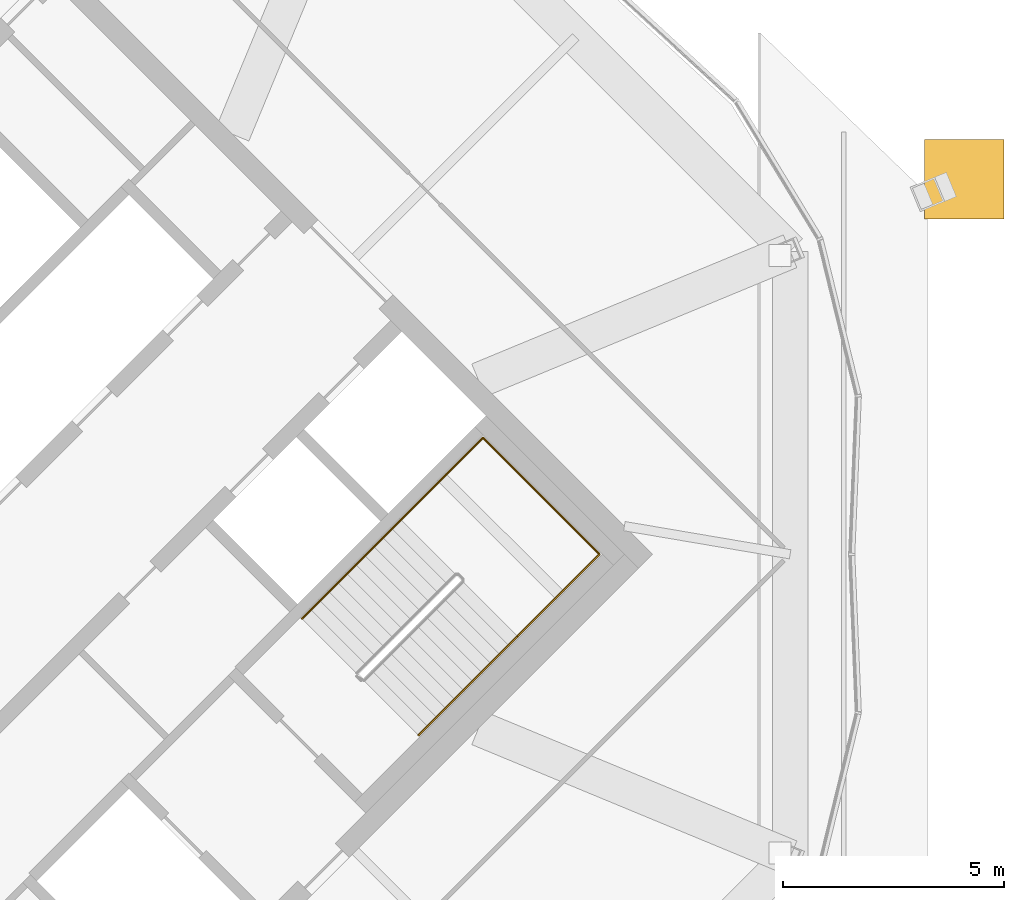
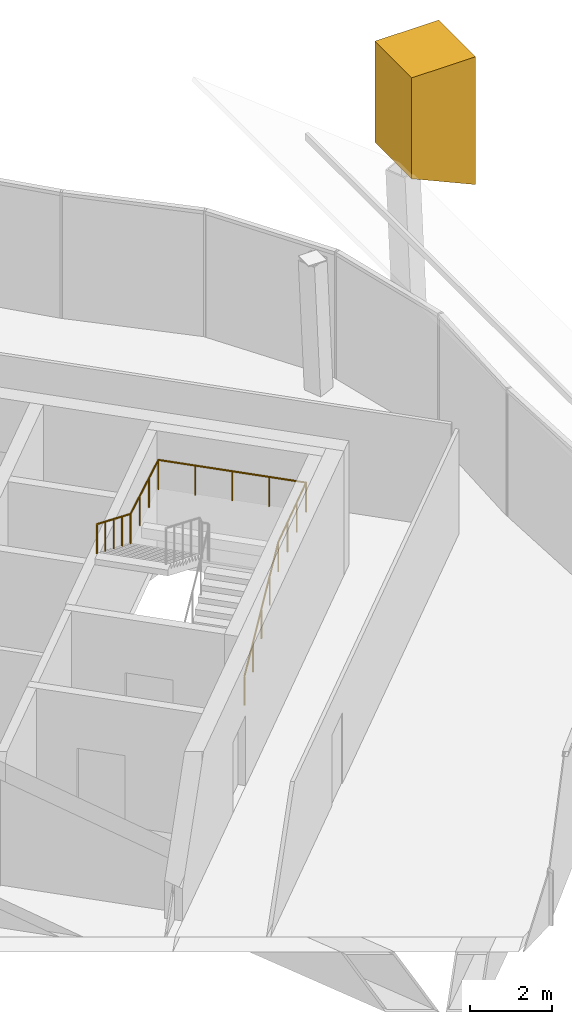
# One storey, part 22 of 22: 1 covering, 1 railing.
"""IFC4 building model written with IfcOpenShell, lengths in metres."""

import ifcopenshell
import ifcopenshell.guid

model = None  # the IFC model being written
_history = None  # IfcOwnerHistory: only IFC2X3 demands one
_inside = {}  # id of a spatial element -> (the spatial element, [elements in it])
_under = {}  # id of a project, library or spatial element -> (it, [spatial elements below it])
_declared = {}  # id of a project -> (the project, [libraries it declares])
_typed = {}  # id of a type object -> (the type object, [elements of that type])
_made_of = {}  # id of a material, layer set ... -> (it, [elements and type objects made of it])


def new_model(schema):
    """Start an empty IFC model of exactly this schema.

    Asked for "IFC4X3", IfcOpenShell would pick the latest addendum, in which some entities
    have other attributes; the version numbers below select the first issue.
    IFC2X3 requires an IfcOwnerHistory on every rooted entity: one is made here for all.
    """
    global model, _history
    if schema == "IFC4X3":
        model = ifcopenshell.file(schema_version=(4, 3, 0, 0))
    else:
        model = ifcopenshell.file(schema=schema)
    _inside.clear()
    _under.clear()
    _declared.clear()
    _typed.clear()
    _made_of.clear()
    _history = None
    if model.schema == "IFC2X3":
        org = make("IfcOrganization", Name="unknown")
        user = make(
            "IfcPersonAndOrganization",
            ThePerson=make("IfcPerson", FamilyName="unknown"),
            TheOrganization=org,
        )
        app = make(
            "IfcApplication",
            ApplicationDeveloper=org,
            Version="unknown",
            ApplicationFullName="unknown",
            ApplicationIdentifier="unknown",
        )
        _history = make(
            "IfcOwnerHistory",
            OwningUser=user,
            OwningApplication=app,
            ChangeAction="ADDED",
            CreationDate=0,
        )
    return model


def make(cls, **values):
    """One entity of the class cls with the attributes given. An attribute that is None is left unset."""
    return model.create_entity(
        cls, **{name: value for name, value in values.items() if value is not None}
    )


def rooted(cls, **values):
    """An entity with a GlobalId (a new one), such as an element, a storey or a relation."""
    return make(cls, GlobalId=ifcopenshell.guid.new(), OwnerHistory=_history, **values)


def si_unit(unit_type, name, prefix=None):
    """IfcSIUnit, for example si_unit("LENGTHUNIT", "METRE", prefix="MILLI")."""
    return make("IfcSIUnit", UnitType=unit_type, Prefix=prefix, Name=name)


def assignment(units):
    """IfcUnitAssignment: the units of a project."""
    return None if units is None else make("IfcUnitAssignment", Units=units)


def point(xyz):
    """IfcCartesianPoint."""
    return None if xyz is None else make("IfcCartesianPoint", Coordinates=xyz)


def direction(xyz):
    """IfcDirection."""
    return None if xyz is None else make("IfcDirection", DirectionRatios=xyz)


def frame(location, z_axis=None, x_axis=None):
    """IfcAxis2Placement3D, a coordinate frame: its origin and axes. An axis left out is left unset."""
    return make(
        "IfcAxis2Placement3D",
        Location=point(location),
        Axis=direction(z_axis),
        RefDirection=direction(x_axis),
    )


def frame_2d(location, x_axis=None):
    """IfcAxis2Placement2D, a coordinate frame in the plane: its origin and x axis."""
    return make(
        "IfcAxis2Placement2D", Location=point(location), RefDirection=direction(x_axis)
    )


def origin():
    """The frame at (0, 0, 0) with its axes left unset."""
    return frame((0.0, 0.0, 0.0))


def origin_2d():
    """The frame at (0, 0) in the plane with its x axis left unset."""
    return frame_2d((0.0, 0.0))


def place(relative_to, where):
    """IfcLocalPlacement: puts the frame where relative to a parent placement (None: the world)."""
    return make(
        "IfcLocalPlacement", PlacementRelTo=relative_to, RelativePlacement=where
    )


def context(
    kind, dimensions, precision=None, world=None, true_north=None, identifier=None
):
    """IfcGeometricRepresentationContext, for example the 3D "Model" context."""
    return make(
        "IfcGeometricRepresentationContext",
        ContextIdentifier=identifier,
        ContextType=kind,
        CoordinateSpaceDimension=dimensions,
        Precision=precision,
        WorldCoordinateSystem=world,
        TrueNorth=true_north,
    )


def subcontext(parent, identifier, kind, view, scale=None):
    """IfcGeometricRepresentationSubContext, for example "Body" below "Model"."""
    return make(
        "IfcGeometricRepresentationSubContext",
        ContextIdentifier=identifier,
        ContextType=kind,
        ParentContext=parent,
        TargetScale=scale,
        TargetView=view,
    )


def project(units=None, contexts=None):
    """IfcProject with its units and contexts."""
    return rooted(
        "IfcProject",
        Name="project",
        RepresentationContexts=contexts,
        UnitsInContext=assignment(units),
    )


def spatial(cls, under=None, at=None, **own):
    """A site, building, storey or space (cls), placed at a placement, below another one or the project."""
    s = rooted(cls, ObjectPlacement=at, **own)
    if under is not None:
        _under.setdefault(under.id(), (under, []))[1].append(s)
    return s


def polyline(points):
    """IfcPolyline through the points."""
    return make("IfcPolyline", Points=[point(p) for p in points])


def profile(cls, at=None, kind="AREA", **sizes):
    """A parametric profile (cls). Its sizes go by their IFC names, for example OverallWidth=200.0."""
    return make(cls, ProfileType=kind, Position=at, **sizes)


def circle(**sizes):
    """IfcCircleProfileDef."""
    return profile("IfcCircleProfileDef", **sizes)


def outline(outer, holes=None, kind="AREA"):
    """IfcArbitraryClosedProfileDef: a profile drawn as a closed curve; with holes, ...WithVoids."""
    if holes is None:
        return make("IfcArbitraryClosedProfileDef", ProfileType=kind, OuterCurve=outer)
    return make(
        "IfcArbitraryProfileDefWithVoids",
        ProfileType=kind,
        OuterCurve=outer,
        InnerCurves=holes,
    )


def extrude(swept, where, along, depth):
    """IfcExtrudedAreaSolid: the profile swept, set in the frame where, extruded along a direction by depth."""
    return make(
        "IfcExtrudedAreaSolid",
        SweptArea=swept,
        Position=where,
        ExtrudedDirection=direction(along),
        Depth=depth,
    )


def shape(context_of_items, identifier, shape_type, items):
    """IfcShapeRepresentation: the items that make up one representation, for example the "Body"."""
    return make(
        "IfcShapeRepresentation",
        ContextOfItems=context_of_items,
        RepresentationIdentifier=identifier,
        RepresentationType=shape_type,
        Items=items,
    )


def material(Name=None, Category=None):
    """IfcMaterial."""
    return make("IfcMaterial", Name=Name, Category=Category)


def layer(
    of_material, thickness, ventilated=None, Name=None, Category=None, Priority=None
):
    """IfcMaterialLayer: one layer of a wall or slab, of a material (None: an air gap)."""
    return make(
        "IfcMaterialLayer",
        Material=of_material,
        LayerThickness=thickness,
        IsVentilated=ventilated,
        Name=Name,
        Category=Category,
        Priority=Priority,
    )


def layer_set(layers, Name=None):
    """IfcMaterialLayerSet."""
    return make("IfcMaterialLayerSet", MaterialLayers=layers, LayerSetName=Name)


def made_of(thing, what):
    """Note that an element or type object is made of a material, layer set ...; save() writes the relation."""
    if what is not None:
        _made_of.setdefault(what.id(), (what, []))[1].append(thing)
    return thing


def type_object(cls, material=None, **own):
    """A type object (cls), such as IfcWallType, which elements share."""
    return made_of(rooted(cls, **own), material)


def element(
    cls,
    number,
    at=None,
    inside=None,
    cuts=None,
    type_object=None,
    material=None,
    context=None,
    identifier="Body",
    shape_type=None,
    held_by="IfcProductDefinitionShape",
    body=None,
    shapes=None,
    **own,
):
    """One element of the class cls, such as IfcWall. Its Tag is "e" and its number.

    at: its placement. inside: the storey or other place that contains it. cuts: it is an
    opening in that element (IfcRelVoidsElement). A single representation is given by context,
    identifier, shape_type and body (its items); several are given by shapes. held_by: the class
    of the entity that holds the representations. save() writes the other relations.
    """
    e = rooted(cls, Tag="e%d" % number, ObjectPlacement=at, **own)
    if body is not None:
        shapes = [shape(context, identifier, shape_type, body)]
    if shapes is not None:
        e.Representation = make(held_by, Representations=shapes)
    if inside is not None:
        _inside.setdefault(inside.id(), (inside, []))[1].append(e)
    if cuts is not None:
        rooted(
            "IfcRelVoidsElement", RelatingBuildingElement=cuts, RelatedOpeningElement=e
        )
    if type_object is not None:
        _typed.setdefault(type_object.id(), (type_object, []))[1].append(e)
    return made_of(e, material)


def aggregate(whole, parts):
    """IfcRelAggregates: a whole, such as a stair, and the parts it consists of."""
    return rooted("IfcRelAggregates", RelatingObject=whole, RelatedObjects=parts)


def save(model, path):
    """Write the relations noted so far, then the file.

    IfcRelAggregates (storeys below a building ...), IfcRelContainedInSpatialStructure (elements
    in a storey), IfcRelDefinesByType, IfcRelAssociatesMaterial and IfcRelDeclares: one each for
    every whole, place, type object, material and project.
    """
    for whole, parts in _under.values():
        aggregate(whole, parts)
    for where, things in _inside.values():
        rooted(
            "IfcRelContainedInSpatialStructure",
            RelatedElements=things,
            RelatingStructure=where,
        )
    for kind, things in _typed.values():
        rooted("IfcRelDefinesByType", RelatedObjects=things, RelatingType=kind)
    for what, things in _made_of.values():
        rooted("IfcRelAssociatesMaterial", RelatedObjects=things, RelatingMaterial=what)
    for by, libraries in _declared.values():
        rooted("IfcRelDeclares", RelatingContext=by, RelatedDefinitions=libraries)
    model.write(path)


model = new_model("IFC4")

# Units and contexts
model_context = context("Model", 3, precision=1e-05, world=origin(), true_north=direction((0.0, 1.0)))
body_context = subcontext(model_context, "Body", "Model", "MODEL_VIEW")
ifc_project = project(units=[si_unit("LENGTHUNIT", "METRE"), si_unit("AREAUNIT", "SQUARE_METRE"), si_unit("VOLUMEUNIT", "CUBIC_METRE"), si_unit("PLANEANGLEUNIT", "RADIAN"), si_unit("MASSUNIT", "GRAM", prefix="KILO")], contexts=[model_context])

# Site, building, storey
site_placement = place(None, origin())
site = spatial("IfcSite", under=ifc_project, at=site_placement, CompositionType="ELEMENT")
building_placement = place(site_placement, origin())
building = spatial("IfcBuilding", under=site, at=building_placement, Name="Ogive Gate Towers", CompositionType="ELEMENT")
storey_placement = place(building_placement, frame((0.0, 0.0, 298.0)))
storey = spatial("IfcBuildingStorey", under=building, at=storey_placement, Name="L70", CompositionType="ELEMENT", Elevation=298.0)

# Covering
ifc_material_1 = material(Name="Cast stone", Category="masonry")
ifc_layer = layer(ifc_material_1, 3.0)
ifc_layer_set = layer_set([ifc_layer], Name="Pinnacle tier 1800")
covering_type = type_object("IfcCoveringType", Name="Pinnacle tier 1800", PredefinedType="CLADDING", material=ifc_layer_set)
covering_placement = place(storey_placement, frame((56.484619140625, 9.385009765625, 4.3359375), z_axis=(0.0, -1.0, 0.0), x_axis=(1.0, 0.0, 0.0)))
element("IfcCovering", 1, at=covering_placement, inside=storey, type_object=covering_type, Name="Crown pinnacle", PredefinedType="CLADDING", context=body_context, shape_type="SweptSolid", body=[
    extrude(outline(polyline([(0.89990234375, -0.402587890625), (-0.89990234375, 0.402587890625), (-0.89990234375, 3.402587890625), (0.89990234375, 3.402587890625), (0.89990234375, -0.402587890625)])), origin(), (0.0, 0.0, 1.0), 1.800048828125),
])

# Railing
ifc_material_2 = material(Name="Stainless steel", Category="steel")
railing_type = type_object("IfcRailingType", Name="Stair handrail 900", PredefinedType="HANDRAIL", material=ifc_material_2)
railing_placement = place(storey_placement, frame((44.142333984375, -4.090576171875, 0.166748046875)))
element("IfcRailing", 2, at=railing_placement, inside=storey, type_object=railing_type, Name="L70 ST2 stair handrail 1", PredefinedType="HANDRAIL", context=body_context, shape_type="SweptSolid", body=[
    extrude(circle(Radius=0.02392578125, at=origin_2d()), frame((0.0, 0.0, 0.8759765625), z_axis=(0.611785268725, 0.61171847994, 0.501516985028), x_axis=(-0.707068180494, 0.707145379772, 0.0)), (0.0, 0.0, 1.0), 3.655517578125),
    extrude(circle(Radius=0.02392578125, at=origin_2d()), frame((2.236328125, 2.236083984375, 2.708984375), z_axis=(0.70706023191, 0.707153327399, 0.0), x_axis=(-0.707153327399, 0.70706023191, 0.0)), (0.0, 0.0, 1.0), 2.62255859375),
    extrude(circle(Radius=0.02392578125, at=origin_2d()), frame((4.090576171875, 4.090576171875, 2.708984375), z_axis=(-0.707106781187, 0.707106781187, 0.0), x_axis=(-0.707106781187, -0.707106781187, 0.0)), (0.0, 0.0, 1.0), 3.72509765625),
    extrude(circle(Radius=0.02392578125, at=origin_2d()), frame((1.45654296875, 6.724609375, 2.708984375), z_axis=(-0.705635245741, -0.705728153607, 0.06345607279), x_axis=(0.707153327399, -0.70706023191, 0.0)), (0.0, 0.0, 1.0), 2.627685546875),
    extrude(circle(Radius=0.02392578125, at=origin_2d()), frame((-0.397705078125, 4.8701171875, 2.8759765625), z_axis=(-0.611785268725, -0.61171847994, 0.501516985028), x_axis=(0.707068180494, -0.707145379772, 0.0)), (0.0, 0.0, 1.0), 3.655517578125),
    extrude(circle(Radius=0.02099609375, at=origin_2d()), origin(), (0.0, 0.0, 1.0), 0.851806640625),
    extrude(circle(Radius=0.02099609375, at=origin_2d()), frame((0.55908203125, 0.55908203125, 0.458251953125)), (0.0, 0.0, 1.0), 0.851806640625),
    extrude(circle(Radius=0.02099609375, at=origin_2d()), frame((1.1181640625, 1.1181640625, 0.91650390625)), (0.0, 0.0, 1.0), 0.851806640625),
    extrude(circle(Radius=0.02099609375, at=origin_2d()), frame((1.67724609375, 1.677001953125, 1.375)), (0.0, 0.0, 1.0), 0.851806640625),
    extrude(circle(Radius=0.02099609375, at=origin_2d()), frame((2.236328125, 2.236083984375, 1.833251953125)), (0.0, 0.0, 1.0), 0.851806640625),
    extrude(circle(Radius=0.02099609375, at=origin_2d()), frame((2.8544921875, 2.854248046875, 1.833251953125)), (0.0, 0.0, 1.0), 0.851806640625),
    extrude(circle(Radius=0.02099609375, at=origin_2d()), frame((3.472412109375, 3.472412109375, 1.833251953125)), (0.0, 0.0, 1.0), 0.851806640625),
    extrude(circle(Radius=0.02099609375, at=origin_2d()), frame((4.090576171875, 4.090576171875, 1.833251953125)), (0.0, 0.0, 1.0), 0.851806640625),
    extrude(circle(Radius=0.02099609375, at=origin_2d()), frame((3.43212890625, 4.7490234375, 1.833251953125)), (0.0, 0.0, 1.0), 0.851806640625),
    extrude(circle(Radius=0.02099609375, at=origin_2d()), frame((2.7734375, 5.40771484375, 1.833251953125)), (0.0, 0.0, 1.0), 0.851806640625),
    extrude(circle(Radius=0.02099609375, at=origin_2d()), frame((2.114990234375, 6.066162109375, 1.833251953125)), (0.0, 0.0, 1.0), 0.851806640625),
    extrude(circle(Radius=0.02099609375, at=origin_2d()), frame((1.45654296875, 6.724609375, 1.833251953125)), (0.0, 0.0, 1.0), 0.851806640625),
    extrude(circle(Radius=0.02099609375, at=origin_2d()), frame((0.83837890625, 6.1064453125, 1.888916015625)), (0.0, 0.0, 1.0), 0.851806640625),
    extrude(circle(Radius=0.02099609375, at=origin_2d()), frame((0.220458984375, 5.48828125, 1.9443359375)), (0.0, 0.0, 1.0), 0.851806640625),
    extrude(circle(Radius=0.02099609375, at=origin_2d()), frame((-0.397705078125, 4.8701171875, 2.0)), (0.0, 0.0, 1.0), 0.851806640625),
    extrude(circle(Radius=0.02099609375, at=origin_2d()), frame((-0.956787109375, 4.31103515625, 2.458251953125)), (0.0, 0.0, 1.0), 0.851806640625),
    extrude(circle(Radius=0.02099609375, at=origin_2d()), frame((-1.515869140625, 3.751953125, 2.91650390625)), (0.0, 0.0, 1.0), 0.851806640625),
    extrude(circle(Radius=0.02099609375, at=origin_2d()), frame((-2.074951171875, 3.193115234375, 3.375)), (0.0, 0.0, 1.0), 0.851806640625),
    extrude(circle(Radius=0.02099609375, at=origin_2d()), frame((-2.634033203125, 2.634033203125, 3.833251953125)), (0.0, 0.0, 1.0), 0.851806640625),
])

save(model, "model.ifc")
